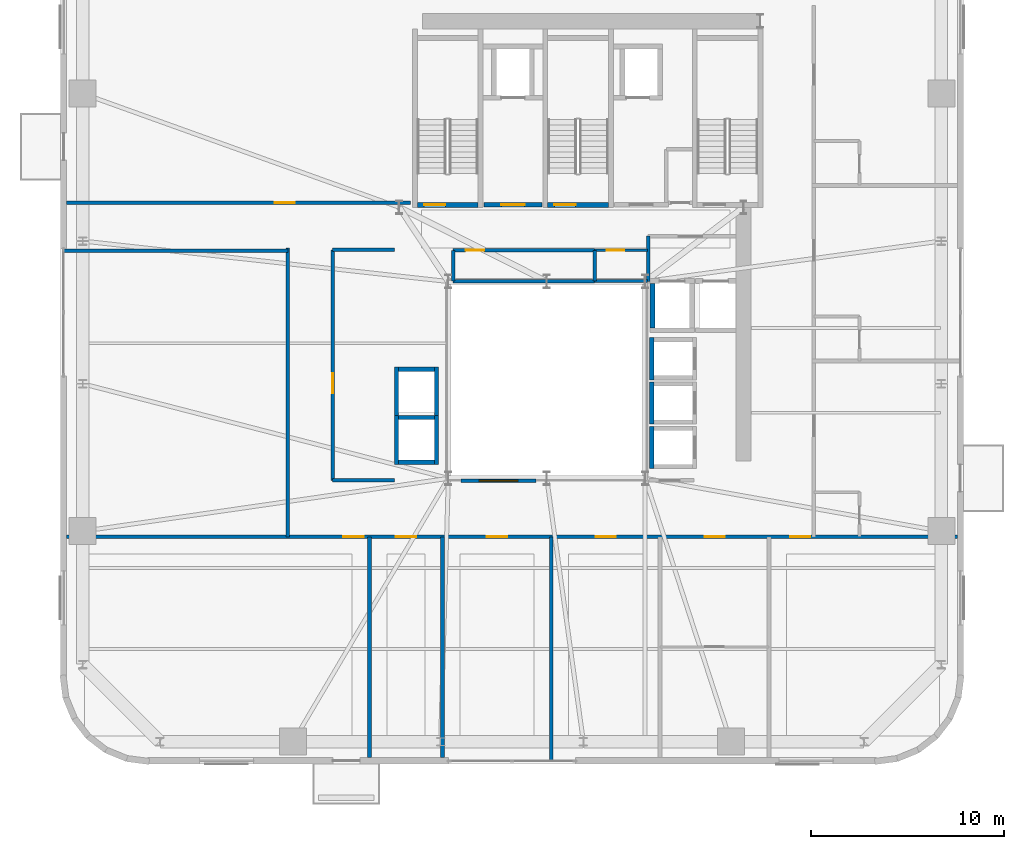
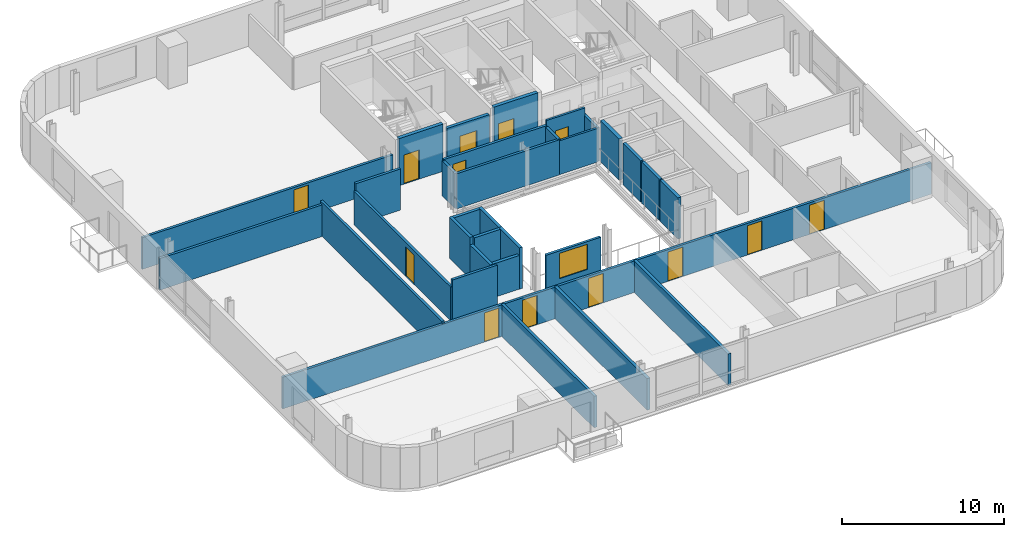
# One storey, part 7 of 13: 32 walls, 13 doors, 1 window, 14 openings.
"""IFC4 building model written with IfcOpenShell, lengths in metres."""

import ifcopenshell
import ifcopenshell.guid

model = None  # the IFC model being written
_history = None  # IfcOwnerHistory: only IFC2X3 demands one
_inside = {}  # id of a spatial element -> (the spatial element, [elements in it])
_under = {}  # id of a project, library or spatial element -> (it, [spatial elements below it])
_declared = {}  # id of a project -> (the project, [libraries it declares])
_typed = {}  # id of a type object -> (the type object, [elements of that type])
_made_of = {}  # id of a material, layer set ... -> (it, [elements and type objects made of it])


def new_model(schema):
    """Start an empty IFC model of exactly this schema.

    Asked for "IFC4X3", IfcOpenShell would pick the latest addendum, in which some entities
    have other attributes; the version numbers below select the first issue.
    IFC2X3 requires an IfcOwnerHistory on every rooted entity: one is made here for all.
    """
    global model, _history
    if schema == "IFC4X3":
        model = ifcopenshell.file(schema_version=(4, 3, 0, 0))
    else:
        model = ifcopenshell.file(schema=schema)
    _inside.clear()
    _under.clear()
    _declared.clear()
    _typed.clear()
    _made_of.clear()
    _history = None
    if model.schema == "IFC2X3":
        org = make("IfcOrganization", Name="unknown")
        user = make(
            "IfcPersonAndOrganization",
            ThePerson=make("IfcPerson", FamilyName="unknown"),
            TheOrganization=org,
        )
        app = make(
            "IfcApplication",
            ApplicationDeveloper=org,
            Version="unknown",
            ApplicationFullName="unknown",
            ApplicationIdentifier="unknown",
        )
        _history = make(
            "IfcOwnerHistory",
            OwningUser=user,
            OwningApplication=app,
            ChangeAction="ADDED",
            CreationDate=0,
        )
    return model


def make(cls, **values):
    """One entity of the class cls with the attributes given. An attribute that is None is left unset."""
    return model.create_entity(
        cls, **{name: value for name, value in values.items() if value is not None}
    )


def rooted(cls, **values):
    """An entity with a GlobalId (a new one), such as an element, a storey or a relation."""
    return make(cls, GlobalId=ifcopenshell.guid.new(), OwnerHistory=_history, **values)


def si_unit(unit_type, name, prefix=None):
    """IfcSIUnit, for example si_unit("LENGTHUNIT", "METRE", prefix="MILLI")."""
    return make("IfcSIUnit", UnitType=unit_type, Prefix=prefix, Name=name)


def assignment(units):
    """IfcUnitAssignment: the units of a project."""
    return None if units is None else make("IfcUnitAssignment", Units=units)


def point(xyz):
    """IfcCartesianPoint."""
    return None if xyz is None else make("IfcCartesianPoint", Coordinates=xyz)


def direction(xyz):
    """IfcDirection."""
    return None if xyz is None else make("IfcDirection", DirectionRatios=xyz)


def frame(location, z_axis=None, x_axis=None):
    """IfcAxis2Placement3D, a coordinate frame: its origin and axes. An axis left out is left unset."""
    return make(
        "IfcAxis2Placement3D",
        Location=point(location),
        Axis=direction(z_axis),
        RefDirection=direction(x_axis),
    )


def frame_2d(location, x_axis=None):
    """IfcAxis2Placement2D, a coordinate frame in the plane: its origin and x axis."""
    return make(
        "IfcAxis2Placement2D", Location=point(location), RefDirection=direction(x_axis)
    )


def origin():
    """The frame at (0, 0, 0) with its axes left unset."""
    return frame((0.0, 0.0, 0.0))


def place(relative_to, where):
    """IfcLocalPlacement: puts the frame where relative to a parent placement (None: the world)."""
    return make(
        "IfcLocalPlacement", PlacementRelTo=relative_to, RelativePlacement=where
    )


def context(
    kind, dimensions, precision=None, world=None, true_north=None, identifier=None
):
    """IfcGeometricRepresentationContext, for example the 3D "Model" context."""
    return make(
        "IfcGeometricRepresentationContext",
        ContextIdentifier=identifier,
        ContextType=kind,
        CoordinateSpaceDimension=dimensions,
        Precision=precision,
        WorldCoordinateSystem=world,
        TrueNorth=true_north,
    )


def subcontext(parent, identifier, kind, view, scale=None):
    """IfcGeometricRepresentationSubContext, for example "Body" below "Model"."""
    return make(
        "IfcGeometricRepresentationSubContext",
        ContextIdentifier=identifier,
        ContextType=kind,
        ParentContext=parent,
        TargetScale=scale,
        TargetView=view,
    )


def project(units=None, contexts=None):
    """IfcProject with its units and contexts."""
    return rooted(
        "IfcProject",
        Name="project",
        RepresentationContexts=contexts,
        UnitsInContext=assignment(units),
    )


def spatial(cls, under=None, at=None, **own):
    """A site, building, storey or space (cls), placed at a placement, below another one or the project."""
    s = rooted(cls, ObjectPlacement=at, **own)
    if under is not None:
        _under.setdefault(under.id(), (under, []))[1].append(s)
    return s


def profile(cls, at=None, kind="AREA", **sizes):
    """A parametric profile (cls). Its sizes go by their IFC names, for example OverallWidth=200.0."""
    return make(cls, ProfileType=kind, Position=at, **sizes)


def rectangle(**sizes):
    """IfcRectangleProfileDef."""
    return profile("IfcRectangleProfileDef", **sizes)


def extrude(swept, where, along, depth):
    """IfcExtrudedAreaSolid: the profile swept, set in the frame where, extruded along a direction by depth."""
    return make(
        "IfcExtrudedAreaSolid",
        SweptArea=swept,
        Position=where,
        ExtrudedDirection=direction(along),
        Depth=depth,
    )


def shape(context_of_items, identifier, shape_type, items):
    """IfcShapeRepresentation: the items that make up one representation, for example the "Body"."""
    return make(
        "IfcShapeRepresentation",
        ContextOfItems=context_of_items,
        RepresentationIdentifier=identifier,
        RepresentationType=shape_type,
        Items=items,
    )


def source(mapping_origin, context_of_items, identifier, shape_type, items):
    """IfcRepresentationMap: a shape defined once, which mapped items show again and again."""
    return make(
        "IfcRepresentationMap",
        MappingOrigin=mapping_origin,
        MappedRepresentation=shape(context_of_items, identifier, shape_type, items),
    )


def transform(
    local_origin,
    x_axis=None,
    y_axis=None,
    z_axis=None,
    scale=None,
    scale2=None,
    scale3=None,
    uniform=True,
):
    """IfcCartesianTransformationOperator3D, or its non-uniform kind. x_axis, y_axis, z_axis: its Axis1, 2, 3."""
    if uniform:
        return make(
            "IfcCartesianTransformationOperator3D",
            Axis1=direction(x_axis),
            Axis2=direction(y_axis),
            LocalOrigin=point(local_origin),
            Scale=scale,
            Axis3=direction(z_axis),
        )
    return make(
        "IfcCartesianTransformationOperator3DnonUniform",
        Axis1=direction(x_axis),
        Axis2=direction(y_axis),
        LocalOrigin=point(local_origin),
        Scale=scale,
        Axis3=direction(z_axis),
        Scale2=scale2,
        Scale3=scale3,
    )


def mapped(mapping_source, mapping_target):
    """IfcMappedItem: shows the shape of a source again, moved by a transform."""
    return make(
        "IfcMappedItem", MappingSource=mapping_source, MappingTarget=mapping_target
    )


def material(Name=None, Category=None):
    """IfcMaterial."""
    return make("IfcMaterial", Name=Name, Category=Category)


def layer(
    of_material, thickness, ventilated=None, Name=None, Category=None, Priority=None
):
    """IfcMaterialLayer: one layer of a wall or slab, of a material (None: an air gap)."""
    return make(
        "IfcMaterialLayer",
        Material=of_material,
        LayerThickness=thickness,
        IsVentilated=ventilated,
        Name=Name,
        Category=Category,
        Priority=Priority,
    )


def layer_set(layers, Name=None):
    """IfcMaterialLayerSet."""
    return make("IfcMaterialLayerSet", MaterialLayers=layers, LayerSetName=Name)


def made_of(thing, what):
    """Note that an element or type object is made of a material, layer set ...; save() writes the relation."""
    if what is not None:
        _made_of.setdefault(what.id(), (what, []))[1].append(thing)
    return thing


def type_object(cls, material=None, **own):
    """A type object (cls), such as IfcWallType, which elements share."""
    return made_of(rooted(cls, **own), material)


def element(
    cls,
    number,
    at=None,
    inside=None,
    cuts=None,
    type_object=None,
    material=None,
    context=None,
    identifier="Body",
    shape_type=None,
    held_by="IfcProductDefinitionShape",
    body=None,
    shapes=None,
    **own,
):
    """One element of the class cls, such as IfcWall. Its Tag is "e" and its number.

    at: its placement. inside: the storey or other place that contains it. cuts: it is an
    opening in that element (IfcRelVoidsElement). A single representation is given by context,
    identifier, shape_type and body (its items); several are given by shapes. held_by: the class
    of the entity that holds the representations. save() writes the other relations.
    """
    e = rooted(cls, Tag="e%d" % number, ObjectPlacement=at, **own)
    if body is not None:
        shapes = [shape(context, identifier, shape_type, body)]
    if shapes is not None:
        e.Representation = make(held_by, Representations=shapes)
    if inside is not None:
        _inside.setdefault(inside.id(), (inside, []))[1].append(e)
    if cuts is not None:
        rooted(
            "IfcRelVoidsElement", RelatingBuildingElement=cuts, RelatedOpeningElement=e
        )
    if type_object is not None:
        _typed.setdefault(type_object.id(), (type_object, []))[1].append(e)
    return made_of(e, material)


def fill(opening, filler):
    """IfcRelFillsElement: the door or window that sits in an opening."""
    return rooted(
        "IfcRelFillsElement",
        RelatingOpeningElement=opening,
        RelatedBuildingElement=filler,
    )


def aggregate(whole, parts):
    """IfcRelAggregates: a whole, such as a stair, and the parts it consists of."""
    return rooted("IfcRelAggregates", RelatingObject=whole, RelatedObjects=parts)


def save(model, path):
    """Write the relations noted so far, then the file.

    IfcRelAggregates (storeys below a building ...), IfcRelContainedInSpatialStructure (elements
    in a storey), IfcRelDefinesByType, IfcRelAssociatesMaterial and IfcRelDeclares: one each for
    every whole, place, type object, material and project.
    """
    for whole, parts in _under.values():
        aggregate(whole, parts)
    for where, things in _inside.values():
        rooted(
            "IfcRelContainedInSpatialStructure",
            RelatedElements=things,
            RelatingStructure=where,
        )
    for kind, things in _typed.values():
        rooted("IfcRelDefinesByType", RelatedObjects=things, RelatingType=kind)
    for what, things in _made_of.values():
        rooted("IfcRelAssociatesMaterial", RelatedObjects=things, RelatingMaterial=what)
    for by, libraries in _declared.values():
        rooted("IfcRelDeclares", RelatingContext=by, RelatedDefinitions=libraries)
    model.write(path)


model = new_model("IFC4")

# Units and contexts
model_context = context("Model", 3, precision=1e-05, world=origin(), true_north=direction((0.0, 1.0)))
body_context = subcontext(model_context, "Body", "Model", "MODEL_VIEW")
ifc_project = project(units=[si_unit("LENGTHUNIT", "METRE"), si_unit("AREAUNIT", "SQUARE_METRE"), si_unit("VOLUMEUNIT", "CUBIC_METRE"), si_unit("PLANEANGLEUNIT", "RADIAN"), si_unit("MASSUNIT", "GRAM", prefix="KILO")], contexts=[model_context])

# Site, building, storey
site_placement = place(None, origin())
site = spatial("IfcSite", under=ifc_project, at=site_placement, CompositionType="ELEMENT")
building_placement = place(site_placement, origin())
building = spatial("IfcBuilding", under=site, at=building_placement, Name="Vardaveli Station Tower", CompositionType="ELEMENT")
storey_placement = place(building_placement, frame((0.0, 0.0, 233.550048828125)))
storey = spatial("IfcBuildingStorey", under=building, at=storey_placement, Name="L60", CompositionType="ELEMENT", Elevation=233.550048828125)

# Wall, opening, door
ifc_material_1 = material(Name="Concrete C40/50", Category="concrete")
ifc_layer_1 = layer(ifc_material_1, 0.25, Name="Concrete C40/50")
ifc_layer_set_1 = layer_set([ifc_layer_1], Name="Concrete C40/50")
wall_type_1 = type_object("IfcWallType", Name="WAL-SHAFT-250", PredefinedType="SOLIDWALL", material=ifc_layer_set_1)
shared_shape_1 = source(origin(), body_context, "Body", "SweptSolid", [
    extrude(rectangle(XDim=3.14990234375, YDim=0.25, at=frame_2d((1.574951171875, 0.0))), origin(), (0.0, 0.0, 1.0), 3.550048828125),
])
wall_1_placement = place(storey_placement, frame((29.60009765625, 30.77490234375, 0.0), z_axis=(0.0, 0.0, 1.0), x_axis=(1.0, 0.0, 0.0)))
wall_1 = element("IfcWall", 1, at=wall_1_placement, inside=storey, type_object=wall_type_1, Name="W-L60-ST-1S", PredefinedType="SOLIDWALL", context=body_context, shape_type="MappedRepresentation", body=[
    mapped(shared_shape_1, transform((0.0, 0.0, 0.0), scale=1.0)),
])
shared_shape_2 = source(origin(), body_context, "Body", "SweptSolid", [
    extrude(rectangle(XDim=1.10009765625, YDim=2.199951171875, at=frame_2d((0.550048828125, 1.10009765625))), frame((0.0, 0.135009765625, 0.0), z_axis=(0.0, -1.0, 0.0), x_axis=(1.0, 0.0, 0.0)), (0.0, 0.0, 1.0), 0.27001953125),
])
opening_1_placement = place(wall_1_placement, frame((0.35009765625, 0.0, 0.0)))
opening_1 = element("IfcOpeningElement", 2, at=opening_1_placement, cuts=wall_1, Name="Opening D-04", PredefinedType="OPENING", context=body_context, shape_type="MappedRepresentation", body=[
    mapped(shared_shape_2, transform((0.0, 0.0, 0.0), scale=1.0)),
])
ifc_material_2 = material(Name="Steel smokeproof fire doorset", Category="steel")
door_type_1 = type_object("IfcDoorType", Name="DR-ST-1100x2200", OperationType="NOTDEFINED", PredefinedType="DOOR", material=ifc_material_2)
shared_shape_3 = source(origin(), body_context, "Body", "SweptSolid", [
    extrude(rectangle(XDim=1.10009765625, YDim=2.199951171875, at=frame_2d((0.550048828125, 1.10009765625))), frame((0.0, 0.02490234375, 0.0), z_axis=(0.0, -1.0, 0.0), x_axis=(1.0, 0.0, 0.0)), (0.0, 0.0, 1.0), 0.050048828125),
])
door_1_placement = place(opening_1_placement, origin())
door_1 = element("IfcDoor", 3, at=door_1_placement, inside=storey, type_object=door_type_1, Name="DST-1-L60", OperationType="SINGLE_SWING_LEFT", OverallHeight=2.199951171875, OverallWidth=1.10009765625, PredefinedType="DOOR", context=body_context, shape_type="MappedRepresentation", body=[
    mapped(shared_shape_3, transform((0.0, 0.0, 0.0), scale=1.0)),
])
fill(opening_1, door_1)

wall_2_placement = place(storey_placement, frame((36.35009765625, 30.77490234375, 0.0), z_axis=(0.0, 0.0, 1.0), x_axis=(1.0, 0.0, 0.0)))
wall_2 = element("IfcWall", 4, at=wall_2_placement, inside=storey, type_object=wall_type_1, Name="W-L60-ST-2S", PredefinedType="SOLIDWALL", context=body_context, shape_type="MappedRepresentation", body=[
    mapped(shared_shape_1, transform((0.0, 0.0, 0.0), scale=1.0)),
])
opening_2_placement = place(wall_2_placement, frame((0.35009765625, 0.0, 0.0)))
opening_2 = element("IfcOpeningElement", 5, at=opening_2_placement, cuts=wall_2, Name="Opening D-04", PredefinedType="OPENING", context=body_context, shape_type="MappedRepresentation", body=[
    mapped(shared_shape_2, transform((0.0, 0.0, 0.0), scale=1.0)),
])
door_2_placement = place(opening_2_placement, origin())
door_2 = element("IfcDoor", 6, at=door_2_placement, inside=storey, type_object=door_type_1, Name="DST-2-L60", OperationType="SINGLE_SWING_LEFT", OverallHeight=2.199951171875, OverallWidth=1.10009765625, PredefinedType="DOOR", context=body_context, shape_type="MappedRepresentation", body=[
    mapped(shared_shape_3, transform((0.0, 0.0, 0.0), scale=1.0)),
])
fill(opening_2, door_2)

ifc_layer_2 = layer(ifc_material_1, 0.219970703125, Name="Concrete C40/50")
ifc_layer_set_2 = layer_set([ifc_layer_2], Name="Concrete C40/50")
wall_type_2 = type_object("IfcWallType", Name="WAL-FFLOBBY-220", PredefinedType="SOLIDWALL", material=ifc_layer_set_2)
shared_shape_4 = source(origin(), body_context, "Body", "SweptSolid", [
    extrude(rectangle(XDim=3.0, YDim=0.219970703125, at=frame_2d((1.5, 0.0))), origin(), (0.0, 0.0, 1.0), 3.099853515625),
])
wall_3_placement = place(storey_placement, frame((33.050048828125, 30.780029296875, 0.0), z_axis=(0.0, 0.0, 1.0), x_axis=(1.0, 0.0, 0.0)))
wall_3 = element("IfcWall", 7, at=wall_3_placement, inside=storey, type_object=wall_type_2, Name="W-L60-FFL1S", PredefinedType="SOLIDWALL", context=body_context, shape_type="MappedRepresentation", body=[
    mapped(shared_shape_4, transform((0.0, 0.0, 0.0), scale=1.0)),
])
shared_shape_5 = source(origin(), body_context, "Body", "SweptSolid", [
    extrude(rectangle(XDim=1.199951171875, YDim=2.199951171875, at=frame_2d((0.60009765625, 1.10009765625))), frame((0.0, 0.1201171875, 0.0), z_axis=(0.0, -1.0, 0.0), x_axis=(1.0, 0.0, 0.0)), (0.0, 0.0, 1.0), 0.239990234375),
])
opening_3_placement = place(wall_3_placement, frame((0.89990234375, 0.0, 0.0)))
opening_3 = element("IfcOpeningElement", 8, at=opening_3_placement, cuts=wall_3, Name="Opening D-03", PredefinedType="OPENING", context=body_context, shape_type="MappedRepresentation", body=[
    mapped(shared_shape_5, transform((0.0, 0.0, 0.0), scale=1.0)),
])
door_type_2 = type_object("IfcDoorType", Name="DR-FFL-1200x2200", OperationType="NOTDEFINED", PredefinedType="DOOR", material=ifc_material_2)
shared_shape_6 = source(origin(), body_context, "Body", "SweptSolid", [
    extrude(rectangle(XDim=1.199951171875, YDim=2.199951171875, at=frame_2d((0.60009765625, 1.10009765625))), frame((0.0, 0.02490234375, 0.0), z_axis=(0.0, -1.0, 0.0), x_axis=(1.0, 0.0, 0.0)), (0.0, 0.0, 1.0), 0.050048828125),
])
door_3_placement = place(opening_3_placement, origin())
door_3 = element("IfcDoor", 9, at=door_3_placement, inside=storey, type_object=door_type_2, Name="DFFL1-L60", OperationType="SINGLE_SWING_LEFT", OverallHeight=2.199951171875, OverallWidth=1.199951171875, PredefinedType="DOOR", context=body_context, shape_type="MappedRepresentation", body=[
    mapped(shared_shape_6, transform((0.0, 0.0, 0.0), scale=1.0)),
])
fill(opening_3, door_3)

# Walls
shared_shape_7 = source(origin(), body_context, "Body", "SweptSolid", [
    extrude(rectangle(XDim=2.18994140625, YDim=0.219970703125, at=frame_2d((1.094970703125, 0.0))), origin(), (0.0, 0.0, 1.0), 3.099853515625),
])
for number, where, z_axis, x_axis, name in (
    (10, (41.739990234375, 21.705078125, 0.0), (0.0, 0.0, 1.0), (0.0, 1.0, 0.0), "SHW-HL3-01-L60-W"),
    (11, (41.739990234375, 19.405029296875, 0.0), (0.0, 0.0, 1.0), (0.0, 1.0, 0.0), "SHW-HL3-02-L60-W"),
    (12, (41.739990234375, 17.10498046875, 0.0), (0.0, 0.0, 1.0), (0.0, 1.0, 0.0), "SHW-HL3-03-L60-W"),
):
    element("IfcWall", number, at=place(storey_placement, frame(where, z_axis=z_axis, x_axis=x_axis)), inside=storey, type_object=wall_type_2, Name=name, PredefinedType="SOLIDWALL", context=body_context, shape_type="MappedRepresentation", body=[
        mapped(shared_shape_7, transform((0.0, 0.0, 0.0), scale=1.0)),
    ])
shared_shape_8 = source(origin(), body_context, "Body", "SweptSolid", [
    extrude(rectangle(XDim=1.85009765625, YDim=0.219970703125, at=frame_2d((0.925048828125, 0.0))), origin(), (0.0, 0.0, 1.0), 2.5419921875),
])
wall_4_placement = place(storey_placement, frame((28.625, 17.43994140625, 0.0), z_axis=(0.0, 0.0, 1.0), x_axis=(1.0, 0.0, 0.0)))
element("IfcWall", 13, at=wall_4_placement, inside=storey, type_object=wall_type_2, Name="SHW-OBS-01-L60-S", PredefinedType="SOLIDWALL", context=body_context, shape_type="MappedRepresentation", body=[
    mapped(shared_shape_8, transform((0.0, 0.0, 0.0), scale=1.0)),
])
shared_shape_9 = source(origin(), body_context, "Body", "SweptSolid", [
    extrude(rectangle(XDim=1.85009765625, YDim=0.219970703125, at=frame_2d((0.925048828125, 0.0))), origin(), (0.0, 0.0, 1.0), 3.099853515625),
])
for number, where, z_axis, x_axis, name in (
    (14, (28.625, 19.760009765625, 0.0), (0.0, 0.0, 1.0), (1.0, 0.0, 0.0), "SHW-OBS-01-L60-N"),
    (15, (28.625, 22.260009765625, 0.0), (0.0, 0.0, 1.0), (1.0, 0.0, 0.0), "SHW-OBS-02-L60-N"),
):
    element("IfcWall", number, at=place(storey_placement, frame(where, z_axis=z_axis, x_axis=x_axis)), inside=storey, type_object=wall_type_2, Name=name, PredefinedType="SOLIDWALL", context=body_context, shape_type="MappedRepresentation", body=[
        mapped(shared_shape_9, transform((0.0, 0.0, 0.0), scale=1.0)),
    ])
shared_shape_10 = source(origin(), body_context, "Body", "SweptSolid", [
    extrude(rectangle(XDim=2.5400390625, YDim=0.219970703125, at=frame_2d((1.27001953125, 0.0))), origin(), (0.0, 0.0, 1.0), 2.5419921875),
])
wall_5_placement = place(storey_placement, frame((28.514892578125, 17.330078125, 0.0), z_axis=(0.0, 0.0, 1.0), x_axis=(0.0, 1.0, 0.0)))
element("IfcWall", 16, at=wall_5_placement, inside=storey, type_object=wall_type_2, Name="SHW-OBS-01-L60-W", PredefinedType="SOLIDWALL", context=body_context, shape_type="MappedRepresentation", body=[
    mapped(shared_shape_10, transform((0.0, 0.0, 0.0), scale=1.0)),
])
shared_shape_11 = source(origin(), body_context, "Body", "SweptSolid", [
    extrude(rectangle(XDim=2.5400390625, YDim=0.219970703125, at=frame_2d((1.27001953125, 0.0))), origin(), (0.0, 0.0, 1.0), 3.099853515625),
])
for number, where, z_axis, x_axis, name in (
    (17, (30.5849609375, 17.330078125, 0.0), (0.0, 0.0, 1.0), (0.0, 1.0, 0.0), "SHW-OBS-01-L60-E"),
    (18, (28.514892578125, 19.830078125, 0.0), (0.0, 0.0, 1.0), (0.0, 1.0, 0.0), "SHW-OBS-02-L60-W"),
    (19, (30.5849609375, 19.830078125, 0.0), (0.0, 0.0, 1.0), (0.0, 1.0, 0.0), "SHW-OBS-02-L60-E"),
):
    element("IfcWall", number, at=place(storey_placement, frame(where, z_axis=z_axis, x_axis=x_axis)), inside=storey, type_object=wall_type_2, Name=name, PredefinedType="SOLIDWALL", context=body_context, shape_type="MappedRepresentation", body=[
        mapped(shared_shape_11, transform((0.0, 0.0, 0.0), scale=1.0)),
    ])
shared_shape_12 = source(origin(), body_context, "Body", "SweptSolid", [
    extrude(rectangle(XDim=2.300048828125, YDim=0.25, at=frame_2d((1.14990234375, 0.0))), origin(), (0.0, 0.0, 1.0), 3.099853515625),
])
wall_6_placement = place(storey_placement, frame((41.77490234375, 24.39990234375, 0.0), z_axis=(0.0, 0.0, 1.0), x_axis=(0.0, 1.0, 0.0)))
element("IfcWall", 20, at=wall_6_placement, inside=storey, type_object=wall_type_1, Name="SHW-SRV-01-L60-W", PredefinedType="SOLIDWALL", context=body_context, shape_type="MappedRepresentation", body=[
    mapped(shared_shape_12, transform((0.0, 0.0, 0.0), scale=1.0)),
])

# Wall, openings, doors
ifc_material_3 = material(Name="Fire-rated gypsum stud partition")
ifc_layer_3 = layer(ifc_material_3, 0.179931640625, Name="Fire-rated gypsum stud partition")
ifc_layer_set_3 = layer_set([ifc_layer_3], Name="Fire-rated gypsum stud partition")
wall_type_3 = type_object("IfcWallType", Name="WAL-CORR-180", PredefinedType="PARTITIONING", material=ifc_layer_set_3)
shared_shape_13 = source(origin(), body_context, "Body", "SweptSolid", [
    extrude(rectangle(XDim=46.15576171875, YDim=0.179931640625, at=frame_2d((23.077880859375, 0.0))), origin(), (0.0, 0.0, 1.0), 2.3759765625),
])
wall_7_placement = place(storey_placement, frame((11.422119140625, 13.570068359375, 0.0), z_axis=(0.0, 0.0, 1.0), x_axis=(1.0, 0.0, 0.0)))
wall_7 = element("IfcWall", 21, at=wall_7_placement, inside=storey, type_object=wall_type_3, Name="W-L60-CS", PredefinedType="PARTITIONING", context=body_context, shape_type="MappedRepresentation", body=[
    mapped(shared_shape_13, transform((0.0, 0.0, 0.0), scale=1.0)),
])
shared_shape_14 = source(origin(), body_context, "Body", "SweptSolid", [
    extrude(rectangle(XDim=1.050048828125, YDim=2.199951171875, at=frame_2d((0.52490234375, 1.10009765625))), frame((0.0, 0.10009765625, 0.0), z_axis=(0.0, -1.0, 0.0), x_axis=(1.0, 0.0, 0.0)), (0.0, 0.0, 1.0), 0.199951171875),
])
opening_4_placement = place(wall_7_placement, frame((14.33837890625, 0.0, 0.0)))
opening_4 = element("IfcOpeningElement", 22, at=opening_4_placement, cuts=wall_7, Name="Opening D-05", PredefinedType="OPENING", context=body_context, shape_type="MappedRepresentation", body=[
    mapped(shared_shape_14, transform((0.0, 0.0, 0.0), scale=1.0)),
])
opening_5_placement = place(wall_7_placement, frame((17.059326171875, 0.0, 0.0)))
opening_5 = element("IfcOpeningElement", 23, at=opening_5_placement, cuts=wall_7, Name="Opening D-05", PredefinedType="OPENING", context=body_context, shape_type="MappedRepresentation", body=[
    mapped(shared_shape_14, transform((0.0, 0.0, 0.0), scale=1.0)),
])
opening_6_placement = place(wall_7_placement, frame((21.771728515625, 0.0, 0.0)))
opening_6 = element("IfcOpeningElement", 24, at=opening_6_placement, cuts=wall_7, Name="Opening D-05", PredefinedType="OPENING", context=body_context, shape_type="MappedRepresentation", body=[
    mapped(shared_shape_14, transform((0.0, 0.0, 0.0), scale=1.0)),
])
opening_7_placement = place(wall_7_placement, frame((27.414306640625, 0.0, 0.0)))
opening_7 = element("IfcOpeningElement", 25, at=opening_7_placement, cuts=wall_7, Name="Opening D-05", PredefinedType="OPENING", context=body_context, shape_type="MappedRepresentation", body=[
    mapped(shared_shape_14, transform((0.0, 0.0, 0.0), scale=1.0)),
])
opening_8_placement = place(wall_7_placement, frame((33.056640625, 0.0, 0.0)))
opening_8 = element("IfcOpeningElement", 26, at=opening_8_placement, cuts=wall_7, Name="Opening D-05", PredefinedType="OPENING", context=body_context, shape_type="MappedRepresentation", body=[
    mapped(shared_shape_14, transform((0.0, 0.0, 0.0), scale=1.0)),
])
opening_9_placement = place(wall_7_placement, frame((37.498046875, 0.0, 0.0)))
opening_9 = element("IfcOpeningElement", 27, at=opening_9_placement, cuts=wall_7, Name="Opening D-05", PredefinedType="OPENING", context=body_context, shape_type="MappedRepresentation", body=[
    mapped(shared_shape_14, transform((0.0, 0.0, 0.0), scale=1.0)),
])
ifc_material_4 = material(Name="Walnut veneer acoustic fire door")
door_type_3 = type_object("IfcDoorType", Name="DR-SUITE-1050x2200", OperationType="NOTDEFINED", PredefinedType="DOOR", material=ifc_material_4)
shared_shape_15 = source(origin(), body_context, "Body", "SweptSolid", [
    extrude(rectangle(XDim=1.050048828125, YDim=2.199951171875, at=frame_2d((0.52490234375, 1.10009765625))), frame((0.0, 0.02490234375, 0.0), z_axis=(0.0, -1.0, 0.0), x_axis=(1.0, 0.0, 0.0)), (0.0, 0.0, 1.0), 0.050048828125),
])
door_4_placement = place(opening_4_placement, origin())
door_4 = element("IfcDoor", 28, at=door_4_placement, inside=storey, type_object=door_type_3, Name="D-L60-SA1", OperationType="SINGLE_SWING_LEFT", OverallHeight=2.199951171875, OverallWidth=1.050048828125, PredefinedType="DOOR", context=body_context, shape_type="MappedRepresentation", body=[
    mapped(shared_shape_15, transform((0.0, 0.0, 0.0), scale=1.0)),
])
fill(opening_4, door_4)
door_5_placement = place(opening_5_placement, origin())
door_5 = element("IfcDoor", 29, at=door_5_placement, inside=storey, type_object=door_type_3, Name="D-L60-SA2", OperationType="SINGLE_SWING_RIGHT", OverallHeight=2.199951171875, OverallWidth=1.050048828125, PredefinedType="DOOR", context=body_context, shape_type="MappedRepresentation", body=[
    mapped(shared_shape_15, transform((0.0, 0.0, 0.0), scale=1.0)),
])
fill(opening_5, door_5)
door_6_placement = place(opening_6_placement, origin())
door_6 = element("IfcDoor", 30, at=door_6_placement, inside=storey, type_object=door_type_3, Name="D-L60-SA3", OperationType="SINGLE_SWING_LEFT", OverallHeight=2.199951171875, OverallWidth=1.050048828125, PredefinedType="DOOR", context=body_context, shape_type="MappedRepresentation", body=[
    mapped(shared_shape_15, transform((0.0, 0.0, 0.0), scale=1.0)),
])
fill(opening_6, door_6)
door_7_placement = place(opening_7_placement, origin())
door_7 = element("IfcDoor", 31, at=door_7_placement, inside=storey, type_object=door_type_3, Name="D-L60-SA4", OperationType="SINGLE_SWING_RIGHT", OverallHeight=2.199951171875, OverallWidth=1.050048828125, PredefinedType="DOOR", context=body_context, shape_type="MappedRepresentation", body=[
    mapped(shared_shape_15, transform((0.0, 0.0, 0.0), scale=1.0)),
])
fill(opening_7, door_7)
door_8_placement = place(opening_8_placement, origin())
door_8 = element("IfcDoor", 32, at=door_8_placement, inside=storey, type_object=door_type_3, Name="D-L60-SCB5", OperationType="SINGLE_SWING_LEFT", OverallHeight=2.199951171875, OverallWidth=1.050048828125, PredefinedType="DOOR", context=body_context, shape_type="MappedRepresentation", body=[
    mapped(shared_shape_15, transform((0.0, 0.0, 0.0), scale=1.0)),
])
fill(opening_8, door_8)
door_9_placement = place(opening_9_placement, origin())
door_9 = element("IfcDoor", 33, at=door_9_placement, inside=storey, type_object=door_type_3, Name="D-L60-SA6", OperationType="SINGLE_SWING_RIGHT", OverallHeight=2.199951171875, OverallWidth=1.050048828125, PredefinedType="DOOR", context=body_context, shape_type="MappedRepresentation", body=[
    mapped(shared_shape_15, transform((0.0, 0.0, 0.0), scale=1.0)),
])
fill(opening_9, door_9)

# Wall, opening, door
shared_shape_16 = source(origin(), body_context, "Body", "SweptSolid", [
    extrude(rectangle(XDim=17.827880859375, YDim=0.179931640625, at=frame_2d((8.9140625, 0.0))), origin(), (0.0, 0.0, 1.0), 2.3759765625),
])
wall_8_placement = place(storey_placement, frame((11.422119140625, 30.8798828125, 0.0), z_axis=(0.0, 0.0, 1.0), x_axis=(1.0, 0.0, 0.0)))
wall_8 = element("IfcWall", 34, at=wall_8_placement, inside=storey, type_object=wall_type_3, Name="W-L60-CNWS", PredefinedType="PARTITIONING", context=body_context, shape_type="MappedRepresentation", body=[
    mapped(shared_shape_16, transform((0.0, 0.0, 0.0), scale=1.0)),
])
opening_10_placement = place(wall_8_placement, frame((10.778076171875, 0.0, 0.0)))
opening_10 = element("IfcOpeningElement", 35, at=opening_10_placement, cuts=wall_8, Name="Opening D-05", PredefinedType="OPENING", context=body_context, shape_type="MappedRepresentation", body=[
    mapped(shared_shape_14, transform((0.0, 0.0, 0.0), scale=1.0)),
])
door_10_placement = place(opening_10_placement, origin())
door_10 = element("IfcDoor", 36, at=door_10_placement, inside=storey, type_object=door_type_3, Name="D-L60-GNW1", OperationType="SINGLE_SWING_LEFT", OverallHeight=2.199951171875, OverallWidth=1.050048828125, PredefinedType="DOOR", context=body_context, shape_type="MappedRepresentation", body=[
    mapped(shared_shape_15, transform((0.0, 0.0, 0.0), scale=1.0)),
])
fill(opening_10, door_10)

shared_shape_17 = source(origin(), body_context, "Body", "SweptSolid", [
    extrude(rectangle(XDim=11.93994140625, YDim=0.179931640625, at=frame_2d((5.969970703125, 0.0))), origin(), (0.0, 0.0, 1.0), 2.5419921875),
])
wall_9_placement = place(storey_placement, frame((25.199951171875, 16.5, 0.0), z_axis=(0.0, 0.0, 1.0), x_axis=(0.0, 1.0, 0.0)))
wall_9 = element("IfcWall", 37, at=wall_9_placement, inside=storey, type_object=wall_type_3, Name="W-L60-ATW-W", PredefinedType="PARTITIONING", context=body_context, shape_type="MappedRepresentation", body=[
    mapped(shared_shape_17, transform((0.0, 0.0, 0.0), scale=1.0)),
])
opening_11_placement = place(wall_9_placement, frame((4.5, 0.0, 0.0)))
opening_11 = element("IfcOpeningElement", 38, at=opening_11_placement, cuts=wall_9, Name="Opening D-05", PredefinedType="OPENING", context=body_context, shape_type="MappedRepresentation", body=[
    mapped(shared_shape_14, transform((0.0, 0.0, 0.0), scale=1.0)),
])
door_11_placement = place(opening_11_placement, origin())
door_11 = element("IfcDoor", 39, at=door_11_placement, inside=storey, type_object=door_type_3, Name="D-L60-ATW1", OperationType="SINGLE_SWING_RIGHT", OverallHeight=2.199951171875, OverallWidth=1.050048828125, PredefinedType="DOOR", context=body_context, shape_type="MappedRepresentation", body=[
    mapped(shared_shape_15, transform((0.0, 0.0, 0.0), scale=1.0)),
])
fill(opening_11, door_11)

shared_shape_18 = source(origin(), body_context, "Body", "SweptSolid", [
    extrude(rectangle(XDim=7.330078125, YDim=0.179931640625, at=frame_2d((3.6650390625, 0.0))), origin(), (0.0, 0.0, 1.0), 2.73193359375),
])
wall_10_placement = place(storey_placement, frame((31.449951171875, 28.419921875, 0.0), z_axis=(0.0, 0.0, 1.0), x_axis=(1.0, 0.0, 0.0)))
wall_10 = element("IfcWall", 40, at=wall_10_placement, inside=storey, type_object=wall_type_3, Name="W-L60-HKP0-N", PredefinedType="PARTITIONING", context=body_context, shape_type="MappedRepresentation", body=[
    mapped(shared_shape_18, transform((0.0, 0.0, 0.0), scale=1.0)),
])
shared_shape_19 = source(origin(), body_context, "Body", "SweptSolid", [
    extrude(rectangle(XDim=0.949951171875, YDim=2.14990234375, at=frame_2d((0.47509765625, 1.074951171875))), frame((0.0, 0.10009765625, 0.0), z_axis=(0.0, -1.0, 0.0), x_axis=(1.0, 0.0, 0.0)), (0.0, 0.0, 1.0), 0.199951171875),
])
opening_12_placement = place(wall_10_placement, frame((0.64990234375, 0.0, 0.0)))
opening_12 = element("IfcOpeningElement", 41, at=opening_12_placement, cuts=wall_10, Name="Opening D-06", PredefinedType="OPENING", context=body_context, shape_type="MappedRepresentation", body=[
    mapped(shared_shape_19, transform((0.0, 0.0, 0.0), scale=1.0)),
])
ifc_material_5 = material(Name="Oak veneer acoustic fire door")
door_type_4 = type_object("IfcDoorType", Name="DR-GUEST-950x2150", OperationType="NOTDEFINED", PredefinedType="DOOR", material=ifc_material_5)
shared_shape_20 = source(origin(), body_context, "Body", "SweptSolid", [
    extrude(rectangle(XDim=0.949951171875, YDim=2.14990234375, at=frame_2d((0.47509765625, 1.074951171875))), frame((0.0, 0.02490234375, 0.0), z_axis=(0.0, -1.0, 0.0), x_axis=(1.0, 0.0, 0.0)), (0.0, 0.0, 1.0), 0.050048828125),
])
door_12_placement = place(opening_12_placement, origin())
door_12 = element("IfcDoor", 42, at=door_12_placement, inside=storey, type_object=door_type_4, Name="D-L60-HKP", OperationType="SINGLE_SWING_LEFT", OverallHeight=2.14990234375, OverallWidth=0.949951171875, PredefinedType="DOOR", context=body_context, shape_type="MappedRepresentation", body=[
    mapped(shared_shape_20, transform((0.0, 0.0, 0.0), scale=1.0)),
])
fill(opening_12, door_12)

ifc_material_6 = material(Name="Moisture-resistant stud partition")
ifc_layer_4 = layer(ifc_material_6, 0.14990234375, Name="Moisture-resistant stud partition")
ifc_layer_set_4 = layer_set([ifc_layer_4], Name="Moisture-resistant stud partition")
wall_type_4 = type_object("IfcWallType", Name="WAL-WET-150", PredefinedType="PARTITIONING", material=ifc_layer_set_4)
shared_shape_21 = source(origin(), body_context, "Body", "SweptSolid", [
    extrude(rectangle(XDim=2.739990234375, YDim=0.14990234375, at=frame_2d((1.3701171875, 0.0))), origin(), (0.0, 0.0, 1.0), 3.099853515625),
])
wall_11_placement = place(storey_placement, frame((38.780029296875, 28.419921875, 0.0), z_axis=(0.0, 0.0, 1.0), x_axis=(1.0, 0.0, 0.0)))
wall_11 = element("IfcWall", 43, at=wall_11_placement, inside=storey, type_object=wall_type_4, Name="W-L60-WCA0-N", PredefinedType="PARTITIONING", context=body_context, shape_type="MappedRepresentation", body=[
    mapped(shared_shape_21, transform((0.0, 0.0, 0.0), scale=1.0)),
])
shared_shape_22 = source(origin(), body_context, "Body", "SweptSolid", [
    extrude(rectangle(XDim=0.919921875, YDim=2.10009765625, at=frame_2d((0.4599609375, 1.050048828125))), frame((0.0, 0.0849609375, 0.0), z_axis=(0.0, -1.0, 0.0), x_axis=(1.0, 0.0, 0.0)), (0.0, 0.0, 1.0), 0.169921875),
])
opening_13_placement = place(wall_11_placement, frame((0.6298828125, 0.0, 0.0)))
opening_13 = element("IfcOpeningElement", 44, at=opening_13_placement, cuts=wall_11, Name="Opening D-07", PredefinedType="OPENING", context=body_context, shape_type="MappedRepresentation", body=[
    mapped(shared_shape_22, transform((0.0, 0.0, 0.0), scale=1.0)),
])
ifc_material_7 = material(Name="Moisture-resistant hardwood door", Category="wood")
door_type_5 = type_object("IfcDoorType", Name="DR-WC-920x2100", OperationType="NOTDEFINED", PredefinedType="DOOR", material=ifc_material_7)
shared_shape_23 = source(origin(), body_context, "Body", "SweptSolid", [
    extrude(rectangle(XDim=0.919921875, YDim=2.10009765625, at=frame_2d((0.4599609375, 1.050048828125))), frame((0.0, 0.02490234375, 0.0), z_axis=(0.0, -1.0, 0.0), x_axis=(1.0, 0.0, 0.0)), (0.0, 0.0, 1.0), 0.050048828125),
])
door_13_placement = place(opening_13_placement, origin())
door_13 = element("IfcDoor", 45, at=door_13_placement, inside=storey, type_object=door_type_5, Name="D-L60-WCA", OperationType="SINGLE_SWING_RIGHT", OverallHeight=2.10009765625, OverallWidth=0.919921875, PredefinedType="DOOR", context=body_context, shape_type="MappedRepresentation", body=[
    mapped(shared_shape_23, transform((0.0, 0.0, 0.0), scale=1.0)),
])
fill(opening_13, door_13)

# Walls
shared_shape_24 = source(origin(), body_context, "Body", "SweptSolid", [
    extrude(rectangle(XDim=14.97998046875, YDim=0.179931640625, at=frame_2d((7.489990234375, 0.0))), origin(), (0.0, 0.0, 1.0), 2.5419921875),
])
wall_12_placement = place(storey_placement, frame((22.8798828125, 13.570068359375, 0.0), z_axis=(0.0, 0.0, 1.0), x_axis=(0.0, 1.0, 0.0)))
element("IfcWall", 46, at=wall_12_placement, inside=storey, type_object=wall_type_3, Name="W-L60-CW", PredefinedType="PARTITIONING", context=body_context, shape_type="MappedRepresentation", body=[
    mapped(shared_shape_24, transform((0.0, 0.0, 0.0), scale=1.0)),
])
shared_shape_25 = source(origin(), body_context, "Body", "SweptSolid", [
    extrude(rectangle(XDim=11.64990234375, YDim=0.179931640625, at=frame_2d((5.824951171875, 0.0))), origin(), (0.0, 0.0, 1.0), 2.3759765625),
])
wall_13_placement = place(storey_placement, frame((11.22998046875, 28.39990234375, 0.0), z_axis=(0.0, 0.0, 1.0), x_axis=(1.0, 0.0, 0.0)))
element("IfcWall", 47, at=wall_13_placement, inside=storey, type_object=wall_type_3, Name="W-L60-CWN", PredefinedType="PARTITIONING", context=body_context, shape_type="MappedRepresentation", body=[
    mapped(shared_shape_25, transform((0.0, 0.0, 0.0), scale=1.0)),
])
ifc_material_8 = material(Name="Acoustic twin-stud gypsum partition")
ifc_layer_5 = layer(ifc_material_8, 0.199951171875, Name="Acoustic twin-stud gypsum partition")
ifc_layer_set_5 = layer_set([ifc_layer_5], Name="Acoustic twin-stud gypsum partition")
wall_type_5 = type_object("IfcWallType", Name="WAL-PARTY-200", PredefinedType="PARTITIONING", material=ifc_layer_set_5)
shared_shape_26 = source(origin(), body_context, "Body", "SweptSolid", [
    extrude(rectangle(XDim=11.447998046875, YDim=0.199951171875, at=frame_2d((5.72412109375, 0.0))), origin(), (0.0, 0.0, 1.0), 2.3759765625),
])
for number, where, z_axis, x_axis, name in (
    (48, (27.110107421875, 2.1220703125, 0.0), (0.0, 0.0, 1.0), (0.0, 1.0, 0.0), "W-L60-PS1"),
    (49, (30.89208984375, 2.1220703125, 0.0), (0.0, 0.0, 1.0), (0.0, 1.0, 0.0), "W-L60-PS2"),
):
    element("IfcWall", number, at=place(storey_placement, frame(where, z_axis=z_axis, x_axis=x_axis)), inside=storey, type_object=wall_type_5, Name=name, PredefinedType="PARTITIONING", context=body_context, shape_type="MappedRepresentation", body=[
        mapped(shared_shape_26, transform((0.0, 0.0, 0.0), scale=1.0)),
    ])
shared_shape_27 = source(origin(), body_context, "Body", "SweptSolid", [
    extrude(rectangle(XDim=11.64013671875, YDim=0.199951171875, at=frame_2d((5.820068359375, 0.0))), origin(), (0.0, 0.0, 1.0), 2.3759765625),
])
wall_14_placement = place(storey_placement, frame((36.534912109375, 1.929931640625, 0.0), z_axis=(0.0, 0.0, 1.0), x_axis=(0.0, 1.0, 0.0)))
element("IfcWall", 50, at=wall_14_placement, inside=storey, type_object=wall_type_5, Name="W-L60-PS3", PredefinedType="PARTITIONING", context=body_context, shape_type="MappedRepresentation", body=[
    mapped(shared_shape_27, transform((0.0, 0.0, 0.0), scale=1.0)),
])
shared_shape_28 = source(origin(), body_context, "Body", "SweptSolid", [
    extrude(rectangle(XDim=7.330078125, YDim=0.179931640625, at=frame_2d((3.6650390625, 0.0))), origin(), (0.0, 0.0, 1.0), 2.641845703125),
])
wall_15_placement = place(storey_placement, frame((31.449951171875, 26.820068359375, 0.0), z_axis=(0.0, 0.0, 1.0), x_axis=(1.0, 0.0, 0.0)))
element("IfcWall", 51, at=wall_15_placement, inside=storey, type_object=wall_type_3, Name="W-L60-HKP0-S", PredefinedType="PARTITIONING", context=body_context, shape_type="MappedRepresentation", body=[
    mapped(shared_shape_28, transform((0.0, 0.0, 0.0), scale=1.0)),
])
shared_shape_29 = source(origin(), body_context, "Body", "SweptSolid", [
    extrude(rectangle(XDim=3.199951171875, YDim=0.179931640625, at=frame_2d((1.60009765625, 0.0))), origin(), (0.0, 0.0, 1.0), 3.099853515625),
])
for number, where, z_axis, x_axis, name in (
    (52, (25.199951171875, 16.5, 0.0), (0.0, 0.0, 1.0), (1.0, 0.0, 0.0), "W-L60-ATW-S"),
    (53, (25.199951171875, 28.43994140625, 0.0), (0.0, 0.0, 1.0), (1.0, 0.0, 0.0), "W-L60-ATW-N"),
):
    element("IfcWall", number, at=place(storey_placement, frame(where, z_axis=z_axis, x_axis=x_axis)), inside=storey, type_object=wall_type_3, Name=name, PredefinedType="PARTITIONING", context=body_context, shape_type="MappedRepresentation", body=[
        mapped(shared_shape_29, transform((0.0, 0.0, 0.0), scale=1.0)),
    ])
shared_shape_30 = source(origin(), body_context, "Body", "SweptSolid", [
    extrude(rectangle(XDim=2.739990234375, YDim=0.14990234375, at=frame_2d((1.3701171875, 0.0))), origin(), (0.0, 0.0, 1.0), 2.5419921875),
])
wall_16_placement = place(storey_placement, frame((38.780029296875, 26.820068359375, 0.0), z_axis=(0.0, 0.0, 1.0), x_axis=(1.0, 0.0, 0.0)))
element("IfcWall", 54, at=wall_16_placement, inside=storey, type_object=wall_type_4, Name="W-L60-WCA0-S", PredefinedType="PARTITIONING", context=body_context, shape_type="MappedRepresentation", body=[
    mapped(shared_shape_30, transform((0.0, 0.0, 0.0), scale=1.0)),
])
shared_shape_31 = source(origin(), body_context, "Body", "SweptSolid", [
    extrude(rectangle(XDim=2.349853515625, YDim=0.179931640625, at=frame_2d((1.1748046875, 0.0))), origin(), (0.0, 0.0, 1.0), 2.5419921875),
])
wall_17_placement = place(storey_placement, frame((41.550048828125, 26.800048828125, 0.0), z_axis=(0.0, 0.0, 1.0), x_axis=(0.0, 1.0, 0.0)))
element("IfcWall", 55, at=wall_17_placement, inside=storey, type_object=wall_type_3, Name="W-L60-SVFW", PredefinedType="PARTITIONING", context=body_context, shape_type="MappedRepresentation", body=[
    mapped(shared_shape_31, transform((0.0, 0.0, 0.0), scale=1.0)),
])
shared_shape_32 = source(origin(), body_context, "Body", "SweptSolid", [
    extrude(rectangle(XDim=1.599853515625, YDim=0.179931640625, at=frame_2d((0.7998046875, 0.0))), origin(), (0.0, 0.0, 1.0), 2.641845703125),
])
for number, where, z_axis, x_axis, name in (
    (56, (31.449951171875, 26.820068359375, 0.0), (0.0, 0.0, 1.0), (0.0, 1.0, 0.0), "W-L60-HKP0-W"),
    (57, (38.780029296875, 26.820068359375, 0.0), (0.0, 0.0, 1.0), (0.0, 1.0, 0.0), "W-L60-HKP0-E"),
):
    element("IfcWall", number, at=place(storey_placement, frame(where, z_axis=z_axis, x_axis=x_axis)), inside=storey, type_object=wall_type_3, Name=name, PredefinedType="PARTITIONING", context=body_context, shape_type="MappedRepresentation", body=[
        mapped(shared_shape_32, transform((0.0, 0.0, 0.0), scale=1.0)),
    ])

# Wall, opening, window
shared_shape_33 = source(origin(), body_context, "Body", "SweptSolid", [
    extrude(rectangle(XDim=3.89990234375, YDim=0.179931640625, at=frame_2d((1.949951171875, 0.0))), origin(), (0.0, 0.0, 1.0), 2.641845703125),
])
wall_18_placement = place(storey_placement, frame((31.85009765625, 16.47998046875, 0.0), z_axis=(0.0, 0.0, 1.0), x_axis=(1.0, 0.0, 0.0)))
wall_18 = element("IfcWall", 58, at=wall_18_placement, inside=storey, type_object=wall_type_3, Name="WAT-L60-S", PredefinedType="PARTITIONING", context=body_context, shape_type="MappedRepresentation", body=[
    mapped(shared_shape_33, transform((0.0, 0.0, 0.0), scale=1.0)),
])
shared_shape_34 = source(origin(), body_context, "Body", "SweptSolid", [
    extrude(rectangle(XDim=2.0, YDim=1.89990234375, at=frame_2d((1.0, 0.949951171875))), frame((0.0, 0.10009765625, 0.0), z_axis=(0.0, -1.0, 0.0), x_axis=(1.0, 0.0, 0.0)), (0.0, 0.0, 1.0), 0.199951171875),
])
opening_14_placement = place(wall_18_placement, frame((0.949951171875, 0.0, 0.550048828125)))
opening_14 = element("IfcOpeningElement", 59, at=opening_14_placement, cuts=wall_18, Name="Opening W-07", PredefinedType="OPENING", context=body_context, shape_type="MappedRepresentation", body=[
    mapped(shared_shape_34, transform((0.0, 0.0, 0.0), scale=1.0)),
])
ifc_material_9 = material(Name="Tempered EI 60 fire-rated glass", Category="glass")
window_type = type_object("IfcWindowType", Name="WIN-ATRIUM-2000x2400", PartitioningType="SINGLE_PANEL", PredefinedType="WINDOW", material=ifc_material_9)
shared_shape_35 = source(origin(), body_context, "Body", "SweptSolid", [
    extrude(rectangle(XDim=2.0, YDim=1.89990234375, at=frame_2d((1.0, 0.949951171875))), frame((0.0, 0.030029296875, 0.0), z_axis=(0.0, -1.0, 0.0), x_axis=(1.0, 0.0, 0.0)), (0.0, 0.0, 1.0), 0.06005859375),
])
window_placement = place(opening_14_placement, origin())
window = element("IfcWindow", 60, at=window_placement, inside=storey, type_object=window_type, Name="WNAT-L60-1", OverallHeight=1.89990234375, OverallWidth=2.0, PartitioningType="SINGLE_PANEL", PredefinedType="WINDOW", context=body_context, shape_type="MappedRepresentation", body=[
    mapped(shared_shape_35, transform((0.0, 0.0, 0.0), scale=1.0)),
])
fill(opening_14, window)

save(model, "model.ifc")
